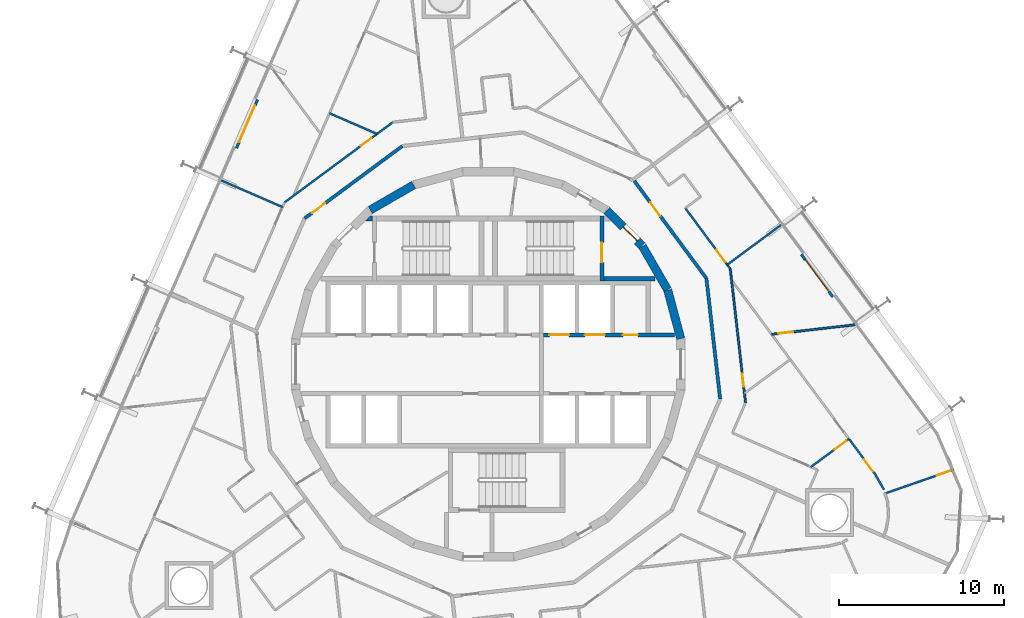
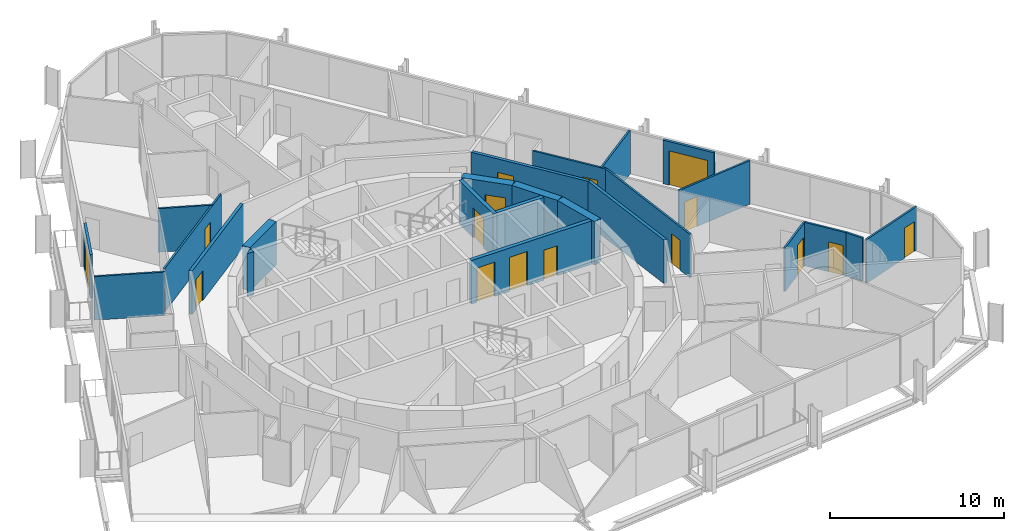
# One storey, part 20 of 23: 24 walls, 16 doors, 16 openings.
"""IFC4 building model written with IfcOpenShell, lengths in metres."""

from ifc_helpers import new_model, si_unit, direction, frame, frame_2d, origin, place, context, subcontext, project, spatial, polyline, rectangle, outline, extrude, material, layer, layer_set, type_object, element, fill, save


model = new_model("IFC4")

# Units and contexts
model_context = context("Model", 3, precision=1e-05, world=origin(), true_north=direction((0.0, 1.0)))
body_context = subcontext(model_context, "Body", "Model", "MODEL_VIEW")
ifc_project = project(units=[si_unit("LENGTHUNIT", "METRE"), si_unit("AREAUNIT", "SQUARE_METRE"), si_unit("VOLUMEUNIT", "CUBIC_METRE"), si_unit("PLANEANGLEUNIT", "RADIAN"), si_unit("MASSUNIT", "GRAM", prefix="KILO")], contexts=[model_context])

# Site, building, storey
site_placement = place(None, origin())
site = spatial("IfcSite", under=ifc_project, at=site_placement, CompositionType="ELEMENT")
building_placement = place(site_placement, origin())
building = spatial("IfcBuilding", under=site, at=building_placement, Name="Spindle Arch Residences", CompositionType="ELEMENT")
storey_placement = place(building_placement, frame((0.0, 0.0, 104.699951171875)))
storey = spatial("IfcBuildingStorey", under=building, at=storey_placement, Name="L25", CompositionType="ELEMENT", Elevation=104.699951171875)

# Walls
ifc_material_1 = material(Name="Concrete C50/60", Category="concrete")
ifc_layer_1 = layer(ifc_material_1, 0.5)
ifc_layer_set_1 = layer_set([ifc_layer_1], Name="Core outline wall 500")
wall_type_1 = type_object("IfcWallType", Name="Core outline wall 500", PredefinedType="SHEAR", material=ifc_layer_set_1)
for number, where, z_axis, x_axis, name in (
    (1, (11.642822265625, 1.5498046875, 0.0), (0.0, 0.0, 1.0), (-0.258734743916, 0.965948410781, 0.0), "Core outline wall 7"),
    (2, (10.84521484375, 4.510498046875, 0.0), (0.0, 0.0, 1.0), (-0.500087131594, 0.865975092491, 0.0), "Core outline wall 8"),
):
    element("IfcWall", number, at=place(storey_placement, frame(where, z_axis=z_axis, x_axis=x_axis)), inside=storey, type_object=wall_type_1, Name=name, PredefinedType="SHEAR", context=body_context, shape_type="SweptSolid", body=[
        extrude(rectangle(XDim=3.03271484375, YDim=0.5, at=frame_2d((1.516357421875, 0.0))), origin(), (0.0, 0.0, 1.0), 3.050048828125),
    ])

# Wall, opening, door
wall_1_placement = place(storey_placement, frame((9.30810546875, 7.163818359375, 0.0), z_axis=(0.0, 0.0, 1.0), x_axis=(-0.707106781187, 0.707106781187, 0.0)))
wall_1 = element("IfcWall", 3, at=wall_1_placement, inside=storey, type_object=wall_type_1, Name="Core outline wall 9", PredefinedType="SHEAR", context=body_context, shape_type="SweptSolid", body=[
    extrude(rectangle(XDim=3.032470703125, YDim=0.5, at=frame_2d((1.51611328125, 0.0))), origin(), (0.0, 0.0, 1.0), 3.050048828125),
])
opening_1_placement = place(wall_1_placement, frame((0.416259765625, 0.0, 0.0)))
opening_1 = element("IfcOpeningElement", 4, at=opening_1_placement, cuts=wall_1, Name="Opening R2C0-AD01", PredefinedType="OPENING", context=body_context, shape_type="SweptSolid", body=[
    extrude(rectangle(XDim=1.199951171875, YDim=2.10009765625, at=frame_2d((0.60009765625, 1.050048828125))), frame((0.0, 0.260009765625, 0.0), z_axis=(0.0, -1.0, 0.0), x_axis=(1.0, 0.0, 0.0)), (0.0, 0.0, 1.0), 0.52001953125),
])
ifc_material_2 = material(Name="Steel, fire-resisting door", Category="steel")
door_type_1 = type_object("IfcDoorType", Name="Stair airlock door 1200x2100", OperationType="SINGLE_SWING_LEFT", PredefinedType="DOOR", material=ifc_material_2)
door_1_placement = place(opening_1_placement, origin())
door_1 = element("IfcDoor", 5, at=door_1_placement, inside=storey, type_object=door_type_1, Name="Stair airlock door R2C0-AD01", OperationType="SINGLE_SWING_RIGHT", OverallHeight=2.10009765625, OverallWidth=1.199951171875, PredefinedType="DOOR", context=body_context, shape_type="SweptSolid", body=[
    extrude(rectangle(XDim=1.199951171875, YDim=2.10009765625, at=frame_2d((0.60009765625, 1.050048828125))), frame((0.0, 0.02490234375, 0.0), z_axis=(0.0, -1.0, 0.0), x_axis=(1.0, 0.0, 0.0)), (0.0, 0.0, 1.0), 0.050048828125),
])
fill(opening_1, door_1)

# Walls
wall_2_placement = place(storey_placement, frame((-4.510498046875, 10.84521484375, 0.0), z_axis=(0.0, 0.0, 1.0), x_axis=(-0.865975092491, -0.500087131594, 0.0)))
element("IfcWall", 6, at=wall_2_placement, inside=storey, type_object=wall_type_1, Name="Core outline wall 14", PredefinedType="SHEAR", context=body_context, shape_type="SweptSolid", body=[
    extrude(rectangle(XDim=3.03271484375, YDim=0.5, at=frame_2d((1.516357421875, 0.0))), origin(), (0.0, 0.0, 1.0), 3.050048828125),
])
ifc_material_3 = material(Name="Calcium silicate block, plastered")
ifc_layer_2 = layer(ifc_material_3, 0.199951171875)
ifc_layer_set_2 = layer_set([ifc_layer_2], Name="Corridor wall 200")
wall_type_2 = type_object("IfcWallType", Name="Corridor wall 200", PredefinedType="STANDARD", material=ifc_layer_set_2)
wall_3_placement = place(storey_placement, frame((14.027587890625, -2.096435546875, 0.0), z_axis=(0.0, 0.0, 1.0), x_axis=(-0.113226782163, 0.993569170114, 0.0)))
element("IfcWall", 7, at=wall_3_placement, inside=storey, type_object=wall_type_2, Name="Corridor wall R2C0-W005", PredefinedType="STANDARD", context=body_context, shape_type="SweptSolid", body=[
    extrude(rectangle(XDim=7.341796875, YDim=0.199951171875, at=frame_2d((3.6708984375, 0.0))), origin(), (0.0, 0.0, 1.0), 3.050048828125),
])

# Wall, opening, door
wall_4_placement = place(storey_placement, frame((13.1962890625, 5.1982421875, 0.0), z_axis=(0.0, 0.0, 1.0), x_axis=(-0.594805187394, 0.803869883159, 0.0)))
wall_4 = element("IfcWall", 8, at=wall_4_placement, inside=storey, type_object=wall_type_2, Name="Corridor wall R2C0-W006", PredefinedType="STANDARD", context=body_context, shape_type="SweptSolid", body=[
    extrude(rectangle(XDim=7.341796875, YDim=0.199951171875, at=frame_2d((3.6708984375, 0.0))), origin(), (0.0, 0.0, 1.0), 3.050048828125),
])
opening_2_placement = place(wall_4_placement, frame((4.699951171875, 0.0, 0.0)))
opening_2 = element("IfcOpeningElement", 9, at=opening_2_placement, cuts=wall_4, Name="Opening R2C0-FD01", PredefinedType="OPENING", context=body_context, shape_type="SweptSolid", body=[
    extrude(rectangle(XDim=1.0, YDim=2.10009765625, at=frame_2d((0.5, 1.050048828125))), frame((0.0, 0.10986328125, 0.0), z_axis=(0.0, -1.0, 0.0), x_axis=(1.0, 0.0, 0.0)), (0.0, 0.0, 1.0), 0.219970703125),
])
ifc_material_4 = material(Name="Timber, fire-resisting door set", Category="wood")
door_type_2 = type_object("IfcDoorType", Name="Flat entrance door 1000x2100", OperationType="NOTDEFINED", PredefinedType="DOOR", material=ifc_material_4)
door_2_placement = place(opening_2_placement, origin())
door_2 = element("IfcDoor", 10, at=door_2_placement, inside=storey, type_object=door_type_2, Name="Flat entrance door R2C0-FD01", OperationType="SINGLE_SWING_RIGHT", OverallHeight=2.10009765625, OverallWidth=1.0, PredefinedType="DOOR", context=body_context, shape_type="SweptSolid", body=[
    extrude(rectangle(XDim=1.0, YDim=2.10009765625, at=frame_2d((0.5, 1.050048828125))), frame((0.0, 0.02490234375, 0.0), z_axis=(0.0, -1.0, 0.0), x_axis=(1.0, 0.0, 0.0)), (0.0, 0.0, 1.0), 0.050048828125),
])
fill(opening_2, door_2)

wall_5_placement = place(storey_placement, frame((-5.1982421875, 13.1962890625, 0.0), z_axis=(0.0, 0.0, 1.0), x_axis=(-0.803869883159, -0.594805187394, 0.0)))
wall_5 = element("IfcWall", 11, at=wall_5_placement, inside=storey, type_object=wall_type_2, Name="Corridor wall R2C0-W009", PredefinedType="STANDARD", context=body_context, shape_type="SweptSolid", body=[
    extrude(rectangle(XDim=7.341796875, YDim=0.199951171875, at=frame_2d((3.6708984375, 0.0))), origin(), (0.0, 0.0, 1.0), 3.050048828125),
])
opening_3_placement = place(wall_5_placement, frame((5.800048828125, 0.0, 0.0)))
opening_3 = element("IfcOpeningElement", 12, at=opening_3_placement, cuts=wall_5, Name="Opening R2C0-FD03", PredefinedType="OPENING", context=body_context, shape_type="SweptSolid", body=[
    extrude(rectangle(XDim=1.0, YDim=2.10009765625, at=frame_2d((0.5, 1.050048828125))), frame((0.0, 0.10986328125, 0.0), z_axis=(0.0, -1.0, 0.0), x_axis=(1.0, 0.0, 0.0)), (0.0, 0.0, 1.0), 0.219970703125),
])
door_3_placement = place(opening_3_placement, origin())
door_3 = element("IfcDoor", 13, at=door_3_placement, inside=storey, type_object=door_type_2, Name="Flat entrance door R2C0-FD03", OperationType="SINGLE_SWING_LEFT", OverallHeight=2.10009765625, OverallWidth=1.0, PredefinedType="DOOR", context=body_context, shape_type="SweptSolid", body=[
    extrude(rectangle(XDim=1.0, YDim=2.10009765625, at=frame_2d((0.5, 1.050048828125))), frame((0.0, 0.02490234375, 0.0), z_axis=(0.0, -1.0, 0.0), x_axis=(1.0, 0.0, 0.0)), (0.0, 0.0, 1.0), 0.050048828125),
])
fill(opening_3, door_3)

# Wall, openings, doors
ifc_material_5 = material(Name="Concrete C40/50", Category="concrete")
ifc_layer_3 = layer(ifc_material_5, 0.25)
ifc_layer_set_3 = layer_set([ifc_layer_3], Name="Fire-lift lobby wall 250")
wall_type_3 = type_object("IfcWallType", Name="Fire-lift lobby wall 250", PredefinedType="SHEAR", material=ifc_layer_set_3)
wall_6_placement = place(storey_placement, frame((3.35009765625, 1.77490234375, 0.0), z_axis=(0.0, 0.0, 1.0), x_axis=(1.0, 0.0, 0.0)))
wall_6 = element("IfcWall", 14, at=wall_6_placement, inside=storey, type_object=wall_type_3, Name="Lift shaft front wall NE", PredefinedType="SHEAR", context=body_context, shape_type="SweptSolid", body=[
    extrude(rectangle(XDim=7.929931640625, YDim=0.25, at=frame_2d((3.96484375, 0.0))), origin(), (0.0, 0.0, 1.0), 3.050048828125),
])
opening_4_placement = place(wall_6_placement, frame((0.35009765625, 0.0, 0.0)))
opening_4 = element("IfcOpeningElement", 15, at=opening_4_placement, cuts=wall_6, Name="Opening R2C0-SLD01", PredefinedType="OPENING", context=body_context, shape_type="SweptSolid", body=[
    extrude(rectangle(XDim=1.199951171875, YDim=2.39990234375, at=frame_2d((0.60009765625, 1.199951171875))), frame((0.0, 0.135009765625, 0.0), z_axis=(0.0, -1.0, 0.0), x_axis=(1.0, 0.0, 0.0)), (0.0, 0.0, 1.0), 0.27001953125),
])
opening_5_placement = place(wall_6_placement, frame((2.5, 0.0, 0.0)))
opening_5 = element("IfcOpeningElement", 16, at=opening_5_placement, cuts=wall_6, Name="Opening R2C0-SLD02", PredefinedType="OPENING", context=body_context, shape_type="SweptSolid", body=[
    extrude(rectangle(XDim=1.199951171875, YDim=2.39990234375, at=frame_2d((0.60009765625, 1.199951171875))), frame((0.0, 0.135009765625, 0.0), z_axis=(0.0, -1.0, 0.0), x_axis=(1.0, 0.0, 0.0)), (0.0, 0.0, 1.0), 0.27001953125),
])
opening_6_placement = place(wall_6_placement, frame((4.800048828125, 0.0, 0.0)))
opening_6 = element("IfcOpeningElement", 17, at=opening_6_placement, cuts=wall_6, Name="Opening R2C0-WD03", PredefinedType="OPENING", context=body_context, shape_type="SweptSolid", body=[
    extrude(rectangle(XDim=0.89990234375, YDim=2.10009765625, at=frame_2d((0.449951171875, 1.050048828125))), frame((0.0, 0.135009765625, 0.0), z_axis=(0.0, -1.0, 0.0), x_axis=(1.0, 0.0, 0.0)), (0.0, 0.0, 1.0), 0.27001953125),
])
ifc_material_6 = material(Name="Steel, fire-resisting landing door", Category="steel")
door_type_3 = type_object("IfcDoorType", Name="Service lift landing door 1200x2400", OperationType="DOUBLE_DOOR_SLIDING", PredefinedType="DOOR", material=ifc_material_6)
door_4_placement = place(opening_4_placement, origin())
door_4 = element("IfcDoor", 18, at=door_4_placement, inside=storey, type_object=door_type_3, Name="Service lift landing door R2C0-SLD01", OperationType="DOUBLE_DOOR_SLIDING", OverallHeight=2.39990234375, OverallWidth=1.199951171875, PredefinedType="DOOR", context=body_context, shape_type="SweptSolid", body=[
    extrude(rectangle(XDim=1.199951171875, YDim=2.39990234375, at=frame_2d((0.60009765625, 1.199951171875))), frame((0.0, 0.02490234375, 0.0), z_axis=(0.0, -1.0, 0.0), x_axis=(1.0, 0.0, 0.0)), (0.0, 0.0, 1.0), 0.050048828125),
])
fill(opening_4, door_4)
door_5_placement = place(opening_5_placement, origin())
door_5 = element("IfcDoor", 19, at=door_5_placement, inside=storey, type_object=door_type_3, Name="Service lift landing door R2C0-SLD02", OperationType="DOUBLE_DOOR_SLIDING", OverallHeight=2.39990234375, OverallWidth=1.199951171875, PredefinedType="DOOR", context=body_context, shape_type="SweptSolid", body=[
    extrude(rectangle(XDim=1.199951171875, YDim=2.39990234375, at=frame_2d((0.60009765625, 1.199951171875))), frame((0.0, 0.02490234375, 0.0), z_axis=(0.0, -1.0, 0.0), x_axis=(1.0, 0.0, 0.0)), (0.0, 0.0, 1.0), 0.050048828125),
])
fill(opening_5, door_5)
ifc_material_7 = material(Name="Steel, fire-resisting door", Category="steel")
door_type_4 = type_object("IfcDoorType", Name="Service room door 900x2100", OperationType="SINGLE_SWING_LEFT", PredefinedType="DOOR", material=ifc_material_7)
door_6_placement = place(opening_6_placement, origin())
door_6 = element("IfcDoor", 20, at=door_6_placement, inside=storey, type_object=door_type_4, Name="Service room door R2C0-WD03", OperationType="SINGLE_SWING_RIGHT", OverallHeight=2.10009765625, OverallWidth=0.89990234375, PredefinedType="DOOR", context=body_context, shape_type="SweptSolid", body=[
    extrude(rectangle(XDim=0.89990234375, YDim=2.10009765625, at=frame_2d((0.449951171875, 1.050048828125))), frame((0.0, 0.02490234375, 0.0), z_axis=(0.0, -1.0, 0.0), x_axis=(1.0, 0.0, 0.0)), (0.0, 0.0, 1.0), 0.050048828125),
])
fill(opening_6, door_6)

# Wall, opening, door
ifc_material_8 = material(Name="Plasterboard on steel studs", Category="steel")
ifc_layer_4 = layer(ifc_material_8, 0.1201171875)
ifc_layer_set_4 = layer_set([ifc_layer_4], Name="Flat partition 120")
wall_type_4 = type_object("IfcWallType", Name="Flat partition 120", PredefinedType="PARTITIONING", material=ifc_layer_set_4)
wall_7_placement = place(storey_placement, frame((15.563232421875, -2.325927734375, 0.0), z_axis=(0.0, 0.0, 1.0), x_axis=(-0.11320423706, 0.993571739087, 0.0)))
wall_7 = element("IfcWall", 21, at=wall_7_placement, inside=storey, type_object=wall_type_4, Name="Flat partition R2C0-W029", PredefinedType="PARTITIONING", context=body_context, shape_type="SweptSolid", body=[
    extrude(rectangle(XDim=8.1455078125, YDim=0.1201171875, at=frame_2d((4.07275390625, 0.0))), origin(), (0.0, 0.0, 1.0), 3.050048828125),
])
opening_7_placement = place(wall_7_placement, frame((0.9697265625, 0.0, 0.0)))
opening_7 = element("IfcOpeningElement", 22, at=opening_7_placement, cuts=wall_7, Name="Opening R2C0-BD01", PredefinedType="OPENING", context=body_context, shape_type="SweptSolid", body=[
    extrude(rectangle(XDim=0.800048828125, YDim=2.10009765625, at=frame_2d((0.39990234375, 1.050048828125))), frame((0.0, 0.070068359375, 0.0), z_axis=(0.0, -1.0, 0.0), x_axis=(1.0, 0.0, 0.0)), (0.0, 0.0, 1.0), 0.14013671875),
])
ifc_material_9 = material(Name="Timber door set", Category="wood")
door_type_5 = type_object("IfcDoorType", Name="Bathroom door 800x2100", OperationType="NOTDEFINED", PredefinedType="DOOR", material=ifc_material_9)
door_7_placement = place(opening_7_placement, origin())
door_7 = element("IfcDoor", 23, at=door_7_placement, inside=storey, type_object=door_type_5, Name="Bathroom door R2C0-BD01", OperationType="SINGLE_SWING_LEFT", OverallHeight=2.10009765625, OverallWidth=0.800048828125, PredefinedType="DOOR", context=body_context, shape_type="SweptSolid", body=[
    extrude(rectangle(XDim=0.800048828125, YDim=2.10009765625, at=frame_2d((0.39990234375, 1.050048828125))), frame((0.0, 0.02490234375, 0.0), z_axis=(0.0, -1.0, 0.0), x_axis=(1.0, 0.0, 0.0)), (0.0, 0.0, 1.0), 0.050048828125),
])
fill(opening_7, door_7)

wall_8_placement = place(storey_placement, frame((14.64111328125, 5.767333984375, 0.0), z_axis=(0.0, 0.0, 1.0), x_axis=(-0.594785744505, 0.803884269117, 0.0)))
wall_8 = element("IfcWall", 24, at=wall_8_placement, inside=storey, type_object=wall_type_4, Name="Flat partition R2C0-W030", PredefinedType="PARTITIONING", context=body_context, shape_type="SweptSolid", body=[
    extrude(rectangle(XDim=4.573486328125, YDim=0.1201171875, at=frame_2d((2.28662109375, 0.0))), origin(), (0.0, 0.0, 1.0), 3.050048828125),
])
opening_8_placement = place(wall_8_placement, frame((0.513427734375, 0.0, 0.0)))
opening_8 = element("IfcOpeningElement", 25, at=opening_8_placement, cuts=wall_8, Name="Opening R2C0-ID01", PredefinedType="OPENING", context=body_context, shape_type="SweptSolid", body=[
    extrude(rectangle(XDim=0.89990234375, YDim=2.10009765625, at=frame_2d((0.449951171875, 1.050048828125))), frame((0.0, 0.070068359375, 0.0), z_axis=(0.0, -1.0, 0.0), x_axis=(1.0, 0.0, 0.0)), (0.0, 0.0, 1.0), 0.14013671875),
])
ifc_material_10 = material(Name="Timber door set", Category="wood")
door_type_6 = type_object("IfcDoorType", Name="Room door 900x2100", OperationType="NOTDEFINED", PredefinedType="DOOR", material=ifc_material_10)
door_8_placement = place(opening_8_placement, origin())
door_8 = element("IfcDoor", 26, at=door_8_placement, inside=storey, type_object=door_type_6, Name="Room door R2C0-ID01", OperationType="SINGLE_SWING_LEFT", OverallHeight=2.10009765625, OverallWidth=0.89990234375, PredefinedType="DOOR", context=body_context, shape_type="SweptSolid", body=[
    extrude(rectangle(XDim=0.89990234375, YDim=2.10009765625, at=frame_2d((0.449951171875, 1.050048828125))), frame((0.0, 0.02490234375, 0.0), z_axis=(0.0, -1.0, 0.0), x_axis=(1.0, 0.0, 0.0)), (0.0, 0.0, 1.0), 0.050048828125),
])
fill(opening_8, door_8)

# Wall
wall_9_placement = place(storey_placement, frame((17.716552734375, 8.432861328125, 0.0), z_axis=(0.0, 0.0, 1.0), x_axis=(-0.803853407146, -0.594827453821, 0.0)))
element("IfcWall", 27, at=wall_9_placement, inside=storey, type_object=wall_type_4, Name="Flat partition R2C0-W040", PredefinedType="PARTITIONING", context=body_context, shape_type="SweptSolid", body=[
    extrude(rectangle(XDim=4.0576171875, YDim=0.1201171875, at=frame_2d((2.02880859375, 0.0))), origin(), (0.0, 0.0, 1.0), 3.050048828125),
])

# Wall, opening, door
wall_10_placement = place(storey_placement, frame((17.140869140625, 1.813720703125, 0.0), z_axis=(0.0, 0.0, 1.0), x_axis=(0.993575814944, 0.113168458319, 0.0)))
wall_10 = element("IfcWall", 28, at=wall_10_placement, inside=storey, type_object=wall_type_4, Name="Flat partition R2C0-W041", PredefinedType="PARTITIONING", context=body_context, shape_type="SweptSolid", body=[
    extrude(rectangle(XDim=5.08056640625, YDim=0.1201171875, at=frame_2d((2.540283203125, 0.0))), origin(), (0.0, 0.0, 1.0), 3.050048828125),
])
opening_9_placement = place(wall_10_placement, frame((0.39990234375, 0.0, 0.0)))
opening_9 = element("IfcOpeningElement", 29, at=opening_9_placement, cuts=wall_10, Name="Opening R2C0-ID05", PredefinedType="OPENING", context=body_context, shape_type="SweptSolid", body=[
    extrude(rectangle(XDim=0.89990234375, YDim=2.10009765625, at=frame_2d((0.449951171875, 1.050048828125))), frame((0.0, 0.070068359375, 0.0), z_axis=(0.0, -1.0, 0.0), x_axis=(1.0, 0.0, 0.0)), (0.0, 0.0, 1.0), 0.14013671875),
])
door_9_placement = place(opening_9_placement, origin())
door_9 = element("IfcDoor", 30, at=door_9_placement, inside=storey, type_object=door_type_6, Name="Room door R2C0-ID05", OperationType="SINGLE_SWING_LEFT", OverallHeight=2.10009765625, OverallWidth=0.89990234375, PredefinedType="DOOR", context=body_context, shape_type="SweptSolid", body=[
    extrude(rectangle(XDim=0.89990234375, YDim=2.10009765625, at=frame_2d((0.449951171875, 1.050048828125))), frame((0.0, 0.02490234375, 0.0), z_axis=(0.0, -1.0, 0.0), x_axis=(1.0, 0.0, 0.0)), (0.0, 0.0, 1.0), 0.050048828125),
])
fill(opening_9, door_9)

wall_11_placement = place(storey_placement, frame((28.161865234375, -6.367919921875, 0.0), z_axis=(0.0, 0.0, 1.0), x_axis=(-0.94463429878, -0.328125039534, 0.0)))
wall_11 = element("IfcWall", 31, at=wall_11_placement, inside=storey, type_object=wall_type_4, Name="Flat partition R2C0-W046", PredefinedType="PARTITIONING", context=body_context, shape_type="SweptSolid", body=[
    extrude(rectangle(XDim=4.40478515625, YDim=0.1201171875, at=frame_2d((2.202392578125, 0.0))), origin(), (0.0, 0.0, 1.0), 3.050048828125),
])
opening_10_placement = place(wall_11_placement, frame((0.199951171875, 0.0, 0.0)))
opening_10 = element("IfcOpeningElement", 32, at=opening_10_placement, cuts=wall_11, Name="Opening R2C0-ID06", PredefinedType="OPENING", context=body_context, shape_type="SweptSolid", body=[
    extrude(rectangle(XDim=0.89990234375, YDim=2.10009765625, at=frame_2d((0.449951171875, 1.050048828125))), frame((0.0, 0.070068359375, 0.0), z_axis=(0.0, -1.0, 0.0), x_axis=(1.0, 0.0, 0.0)), (0.0, 0.0, 1.0), 0.14013671875),
])
door_10_placement = place(opening_10_placement, origin())
door_10 = element("IfcDoor", 33, at=door_10_placement, inside=storey, type_object=door_type_6, Name="Room door R2C0-ID06", OperationType="SINGLE_SWING_LEFT", OverallHeight=2.10009765625, OverallWidth=0.89990234375, PredefinedType="DOOR", context=body_context, shape_type="SweptSolid", body=[
    extrude(rectangle(XDim=0.89990234375, YDim=2.10009765625, at=frame_2d((0.449951171875, 1.050048828125))), frame((0.0, 0.02490234375, 0.0), z_axis=(0.0, -1.0, 0.0), x_axis=(1.0, 0.0, 0.0)), (0.0, 0.0, 1.0), 0.050048828125),
])
fill(opening_10, door_10)

wall_12_placement = place(storey_placement, frame((21.818359375, -4.5078125, 0.0), z_axis=(0.0, 0.0, 1.0), x_axis=(-0.803875276339, -0.594797898526, 0.0)))
wall_12 = element("IfcWall", 34, at=wall_12_placement, inside=storey, type_object=wall_type_4, Name="Flat partition R2C0-W047", PredefinedType="PARTITIONING", context=body_context, shape_type="SweptSolid", body=[
    extrude(rectangle(XDim=2.867919921875, YDim=0.1201171875, at=frame_2d((1.43408203125, 0.0))), origin(), (0.0, 0.0, 1.0), 3.050048828125),
])
opening_11_placement = place(wall_12_placement, frame((0.199951171875, 0.0, 0.0)))
opening_11 = element("IfcOpeningElement", 35, at=opening_11_placement, cuts=wall_12, Name="Opening R2C0-ID03", PredefinedType="OPENING", context=body_context, shape_type="SweptSolid", body=[
    extrude(rectangle(XDim=0.89990234375, YDim=2.10009765625, at=frame_2d((0.449951171875, 1.050048828125))), frame((0.0, 0.070068359375, 0.0), z_axis=(0.0, -1.0, 0.0), x_axis=(1.0, 0.0, 0.0)), (0.0, 0.0, 1.0), 0.14013671875),
])
door_11_placement = place(opening_11_placement, origin())
door_11 = element("IfcDoor", 36, at=door_11_placement, inside=storey, type_object=door_type_6, Name="Room door R2C0-ID03", OperationType="SINGLE_SWING_LEFT", OverallHeight=2.10009765625, OverallWidth=0.89990234375, PredefinedType="DOOR", context=body_context, shape_type="SweptSolid", body=[
    extrude(rectangle(XDim=0.89990234375, YDim=2.10009765625, at=frame_2d((0.449951171875, 1.050048828125))), frame((0.0, 0.02490234375, 0.0), z_axis=(0.0, -1.0, 0.0), x_axis=(1.0, 0.0, 0.0)), (0.0, 0.0, 1.0), 0.050048828125),
])
fill(opening_11, door_11)

# Wall
wall_13_placement = place(storey_placement, frame((23.9296875, -7.573486328125, 0.0), z_axis=(0.0, 0.0, 1.0), x_axis=(-0.497348044937, 0.867551106389, 0.0)))
element("IfcWall", 37, at=wall_13_placement, inside=storey, type_object=wall_type_4, Name="Flat partition R2C0-W048", PredefinedType="PARTITIONING", context=body_context, shape_type="SweptSolid", body=[
    extrude(rectangle(XDim=1.0869140625, YDim=0.1201171875, at=frame_2d((0.54345703125, 0.0))), origin(), (0.0, 0.0, 1.0), 3.050048828125),
])

# Wall, opening, door
wall_14_placement = place(storey_placement, frame((23.38916015625, -6.630615234375, 0.0), z_axis=(0.0, 0.0, 1.0), x_axis=(-0.594821170528, 0.803858056557, 0.0)))
wall_14 = element("IfcWall", 38, at=wall_14_placement, inside=storey, type_object=wall_type_4, Name="Flat partition R2C0-W049", PredefinedType="PARTITIONING", context=body_context, shape_type="SweptSolid", body=[
    extrude(rectangle(XDim=2.60107421875, YDim=0.1201171875, at=frame_2d((1.300537109375, 0.0))), origin(), (0.0, 0.0, 1.0), 3.050048828125),
])
opening_12_placement = place(wall_14_placement, frame((0.199951171875, 0.0, 0.0)))
opening_12 = element("IfcOpeningElement", 39, at=opening_12_placement, cuts=wall_14, Name="Opening R2C0-ID07", PredefinedType="OPENING", context=body_context, shape_type="SweptSolid", body=[
    extrude(rectangle(XDim=0.89990234375, YDim=2.10009765625, at=frame_2d((0.449951171875, 1.050048828125))), frame((0.0, 0.070068359375, 0.0), z_axis=(0.0, -1.0, 0.0), x_axis=(1.0, 0.0, 0.0)), (0.0, 0.0, 1.0), 0.14013671875),
])
door_12_placement = place(opening_12_placement, origin())
door_12 = element("IfcDoor", 40, at=door_12_placement, inside=storey, type_object=door_type_6, Name="Room door R2C0-ID07", OperationType="SINGLE_SWING_RIGHT", OverallHeight=2.10009765625, OverallWidth=0.89990234375, PredefinedType="DOOR", context=body_context, shape_type="SweptSolid", body=[
    extrude(rectangle(XDim=0.89990234375, YDim=2.10009765625, at=frame_2d((0.449951171875, 1.050048828125))), frame((0.0, 0.02490234375, 0.0), z_axis=(0.0, -1.0, 0.0), x_axis=(1.0, 0.0, 0.0)), (0.0, 0.0, 1.0), 0.050048828125),
])
fill(opening_12, door_12)

wall_15_placement = place(storey_placement, frame((-5.767333984375, 14.64111328125, 0.0), z_axis=(0.0, 0.0, 1.0), x_axis=(-0.803853364238, -0.594827511807, 0.0)))
wall_15 = element("IfcWall", 41, at=wall_15_placement, inside=storey, type_object=wall_type_4, Name="Flat partition R2C0-W069", PredefinedType="PARTITIONING", context=body_context, shape_type="SweptSolid", body=[
    extrude(rectangle(XDim=8.1455078125, YDim=0.1201171875, at=frame_2d((4.07275390625, 0.0))), origin(), (0.0, 0.0, 1.0), 3.050048828125),
])
opening_13_placement = place(wall_15_placement, frame((1.591796875, 0.0, 0.0)))
opening_13 = element("IfcOpeningElement", 42, at=opening_13_placement, cuts=wall_15, Name="Opening R2C0-BD03", PredefinedType="OPENING", context=body_context, shape_type="SweptSolid", body=[
    extrude(rectangle(XDim=0.800048828125, YDim=2.10009765625, at=frame_2d((0.39990234375, 1.050048828125))), frame((0.0, 0.070068359375, 0.0), z_axis=(0.0, -1.0, 0.0), x_axis=(1.0, 0.0, 0.0)), (0.0, 0.0, 1.0), 0.14013671875),
])
door_13_placement = place(opening_13_placement, origin())
door_13 = element("IfcDoor", 43, at=door_13_placement, inside=storey, type_object=door_type_5, Name="Bathroom door R2C0-BD03", OperationType="SINGLE_SWING_LEFT", OverallHeight=2.10009765625, OverallWidth=0.800048828125, PredefinedType="DOOR", context=body_context, shape_type="SweptSolid", body=[
    extrude(rectangle(XDim=0.800048828125, YDim=2.10009765625, at=frame_2d((0.39990234375, 1.050048828125))), frame((0.0, 0.02490234375, 0.0), z_axis=(0.0, -1.0, 0.0), x_axis=(1.0, 0.0, 0.0)), (0.0, 0.0, 1.0), 0.050048828125),
])
fill(opening_13, door_13)

# Walls
wall_16_placement = place(storey_placement, frame((-9.599853515625, 15.18212890625, 0.0), z_axis=(0.0, 0.0, 1.0), x_axis=(0.917073771145, -0.398717567054, 0.0)))
element("IfcWall", 44, at=wall_16_placement, inside=storey, type_object=wall_type_4, Name="Flat partition R2C0-W080", PredefinedType="PARTITIONING", context=body_context, shape_type="SweptSolid", body=[
    extrude(rectangle(XDim=3.134521484375, YDim=0.1201171875, at=frame_2d((1.5673828125, 0.0))), origin(), (0.0, 0.0, 1.0), 3.050048828125),
])
wall_17_placement = place(storey_placement, frame((-16.1611328125, 11.12646484375, 0.0), z_axis=(0.0, 0.0, 1.0), x_axis=(0.91705953326, -0.398750313425, 0.0)))
element("IfcWall", 45, at=wall_17_placement, inside=storey, type_object=wall_type_4, Name="Flat partition R2C0-W082", PredefinedType="PARTITIONING", context=body_context, shape_type="SweptSolid", body=[
    extrude(rectangle(XDim=4.057373046875, YDim=0.1201171875, at=frame_2d((2.02880859375, 0.0))), origin(), (0.0, 0.0, 1.0), 3.050048828125),
])

# Wall, opening, door
ifc_material_11 = material(Name="Non-combustible mineral wool insulated aluminium faced external wall (K0)", Category="aluminium")
ifc_layer_5 = layer(ifc_material_11, 0.159912109375)
ifc_layer_set_5 = layer_set([ifc_layer_5], Name="Insulated external wall panel 160")
wall_type_5 = type_object("IfcWallType", Name="Insulated external wall panel 160", PredefinedType="STANDARD", material=ifc_layer_set_5)
wall_18_placement = place(storey_placement, frame((20.840087890625, 4.076904296875, 0.0), z_axis=(0.0, 0.0, 1.0), x_axis=(-0.594824273168, 0.803855760725, 0.0)))
wall_18 = element("IfcWall", 46, at=wall_18_placement, inside=storey, type_object=wall_type_5, Name="External wall L25 bay 7", PredefinedType="STANDARD", context=body_context, shape_type="SweptSolid", body=[
    extrude(rectangle(XDim=3.2001953125, YDim=0.159912109375, at=frame_2d((1.60009765625, 0.0))), origin(), (0.0, 0.0, 1.0), 3.050048828125),
])
opening_14_placement = place(wall_18_placement, frame((0.39990234375, 0.0, 0.0)))
opening_14 = element("IfcOpeningElement", 47, at=opening_14_placement, cuts=wall_18, Name="Opening BD07", PredefinedType="OPENING", context=body_context, shape_type="SweptSolid", body=[
    extrude(rectangle(XDim=2.39990234375, YDim=2.39990234375, at=frame_2d((1.199951171875, 1.199951171875))), frame((0.0, 0.08984375, 0.0), z_axis=(0.0, -1.0, 0.0), x_axis=(1.0, 0.0, 0.0)), (0.0, 0.0, 1.0), 0.179931640625),
])
ifc_material_12 = material(Name="Bronze aluminium frame, tinted double glazing", Category="aluminium")
door_type_7 = type_object("IfcDoorType", Name="Sliding glazed balcony door 2400x2400", OperationType="DOUBLE_DOOR_SLIDING", PredefinedType="DOOR", material=ifc_material_12)
door_14_placement = place(opening_14_placement, origin())
door_14 = element("IfcDoor", 48, at=door_14_placement, inside=storey, type_object=door_type_7, Name="Balcony door BD07", OperationType="DOUBLE_DOOR_SLIDING", OverallHeight=2.39990234375, OverallWidth=2.39990234375, PredefinedType="DOOR", context=body_context, shape_type="SweptSolid", body=[
    extrude(rectangle(XDim=2.39990234375, YDim=2.39990234375, at=frame_2d((1.199951171875, 1.199951171875))), frame((0.0, 0.02490234375, 0.0), z_axis=(0.0, -1.0, 0.0), x_axis=(1.0, 0.0, 0.0)), (0.0, 0.0, 1.0), 0.050048828125),
])
fill(opening_14, door_14)

wall_19_placement = place(storey_placement, frame((-13.950927734375, 16.009521484375, 0.0), z_axis=(0.0, 0.0, 1.0), x_axis=(-0.398720531764, -0.917072482168, 0.0)))
wall_19 = element("IfcWall", 49, at=wall_19_placement, inside=storey, type_object=wall_type_5, Name="External wall L25 bay 15", PredefinedType="STANDARD", context=body_context, shape_type="SweptSolid", body=[
    extrude(rectangle(XDim=3.199951171875, YDim=0.159912109375, at=frame_2d((1.60009765625, 0.0))), origin(), (0.0, 0.0, 1.0), 3.050048828125),
])
opening_15_placement = place(wall_19_placement, frame((0.39990234375, 0.0, 0.0)))
opening_15 = element("IfcOpeningElement", 50, at=opening_15_placement, cuts=wall_19, Name="Opening BD15", PredefinedType="OPENING", context=body_context, shape_type="SweptSolid", body=[
    extrude(rectangle(XDim=2.39990234375, YDim=2.39990234375, at=frame_2d((1.199951171875, 1.199951171875))), frame((0.0, 0.08984375, 0.0), z_axis=(0.0, -1.0, 0.0), x_axis=(1.0, 0.0, 0.0)), (0.0, 0.0, 1.0), 0.179931640625),
])
door_15_placement = place(opening_15_placement, origin())
door_15 = element("IfcDoor", 51, at=door_15_placement, inside=storey, type_object=door_type_7, Name="Balcony door BD15", OperationType="DOUBLE_DOOR_SLIDING", OverallHeight=2.39990234375, OverallWidth=2.39990234375, PredefinedType="DOOR", context=body_context, shape_type="SweptSolid", body=[
    extrude(rectangle(XDim=2.39990234375, YDim=2.39990234375, at=frame_2d((1.199951171875, 1.199951171875))), frame((0.0, 0.02490234375, 0.0), z_axis=(0.0, -1.0, 0.0), x_axis=(1.0, 0.0, 0.0)), (0.0, 0.0, 1.0), 0.050048828125),
])
fill(opening_15, door_15)

# Walls
ifc_material_13 = material(Name="Concrete C40/50", Category="concrete")
ifc_layer_6 = layer(ifc_material_13, 0.25)
ifc_layer_set_6 = layer_set([ifc_layer_6], Name="Stair airlock wall 250")
wall_type_6 = type_object("IfcWallType", Name="Stair airlock wall 250", PredefinedType="SHEAR", material=ifc_layer_set_6)
wall_20_placement = place(storey_placement, frame((7.0, 5.175048828125, 0.0), z_axis=(0.0, 0.0, 1.0), x_axis=(1.0, 0.0, 0.0)))
element("IfcWall", 52, at=wall_20_placement, inside=storey, type_object=wall_type_6, Name="Stair ST-1 airlock wall S", PredefinedType="SHEAR", context=body_context, shape_type="SweptSolid", body=[
    extrude(rectangle(XDim=3.10009765625, YDim=0.25, at=frame_2d((1.550048828125, 0.0))), origin(), (0.0, 0.0, 1.0), 3.050048828125),
])
ifc_material_14 = material(Name="Concrete C40/50", Category="concrete")
wall_type_7 = type_object("IfcWallType", Name="Stair airlock wall profile", PredefinedType="SHEAR", material=ifc_material_14)
wall_21_placement = place(storey_placement, origin())
element("IfcWall", 53, at=wall_21_placement, inside=storey, type_object=wall_type_7, Name="Stair ST-2 airlock wall N", PredefinedType="SHEAR", context=body_context, shape_type="SweptSolid", body=[
    extrude(outline(polyline([(-7.148193359375, 8.969970703125), (-7.0, 8.969970703125), (-7.0, 8.669921875), (-7.4482421875, 8.669921875), (-7.148193359375, 8.969970703125)])), origin(), (0.0, 0.0, 1.0), 3.050048828125),
])

# Wall, opening, door
ifc_material_15 = material(Name="Concrete C50/60", Category="concrete")
ifc_layer_7 = layer(ifc_material_15, 0.25)
ifc_layer_set_7 = layer_set([ifc_layer_7], Name="Stair enclosure wall 250")
wall_type_8 = type_object("IfcWallType", Name="Stair enclosure wall 250", PredefinedType="SHEAR", material=ifc_layer_set_7)
wall_22_placement = place(storey_placement, frame((6.875, 5.050048828125, 0.0), z_axis=(0.0, 0.0, 1.0), x_axis=(0.0, 1.0, 0.0)))
wall_22 = element("IfcWall", 54, at=wall_22_placement, inside=storey, type_object=wall_type_8, Name="Stair ST-1 door wall", PredefinedType="SHEAR", context=body_context, shape_type="SweptSolid", body=[
    extrude(rectangle(XDim=3.919921875, YDim=0.25, at=frame_2d((1.9599609375, 0.0))), origin(), (0.0, 0.0, 1.0), 3.050048828125),
])
opening_16_placement = place(wall_22_placement, frame((1.110107421875, 0.0, 0.0)))
opening_16 = element("IfcOpeningElement", 55, at=opening_16_placement, cuts=wall_22, Name="Opening R2C0-SD01", PredefinedType="OPENING", context=body_context, shape_type="SweptSolid", body=[
    extrude(rectangle(XDim=1.199951171875, YDim=2.10009765625, at=frame_2d((0.60009765625, 1.050048828125))), frame((0.0, 0.135009765625, 0.0), z_axis=(0.0, -1.0, 0.0), x_axis=(1.0, 0.0, 0.0)), (0.0, 0.0, 1.0), 0.27001953125),
])
ifc_material_16 = material(Name="Steel, fire-resisting door", Category="steel")
door_type_8 = type_object("IfcDoorType", Name="Stair door 1200x2100", OperationType="SINGLE_SWING_RIGHT", PredefinedType="DOOR", material=ifc_material_16)
door_16_placement = place(opening_16_placement, origin())
door_16 = element("IfcDoor", 56, at=door_16_placement, inside=storey, type_object=door_type_8, Name="Stair door R2C0-SD01", OperationType="SINGLE_SWING_LEFT", OverallHeight=2.10009765625, OverallWidth=1.199951171875, PredefinedType="DOOR", context=body_context, shape_type="SweptSolid", body=[
    extrude(rectangle(XDim=1.199951171875, YDim=2.10009765625, at=frame_2d((0.60009765625, 1.050048828125))), frame((0.0, 0.02490234375, 0.0), z_axis=(0.0, -1.0, 0.0), x_axis=(1.0, 0.0, 0.0)), (0.0, 0.0, 1.0), 0.050048828125),
])
fill(opening_16, door_16)

save(model, "model.ifc")
